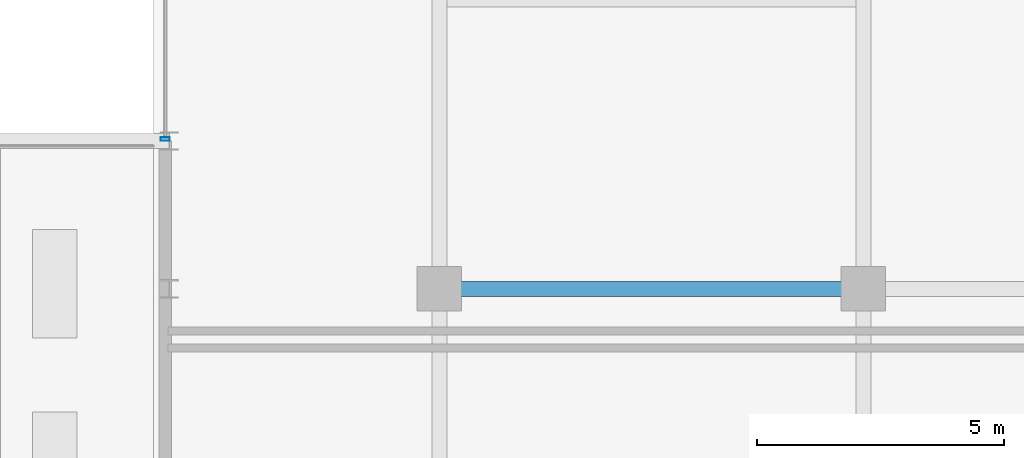
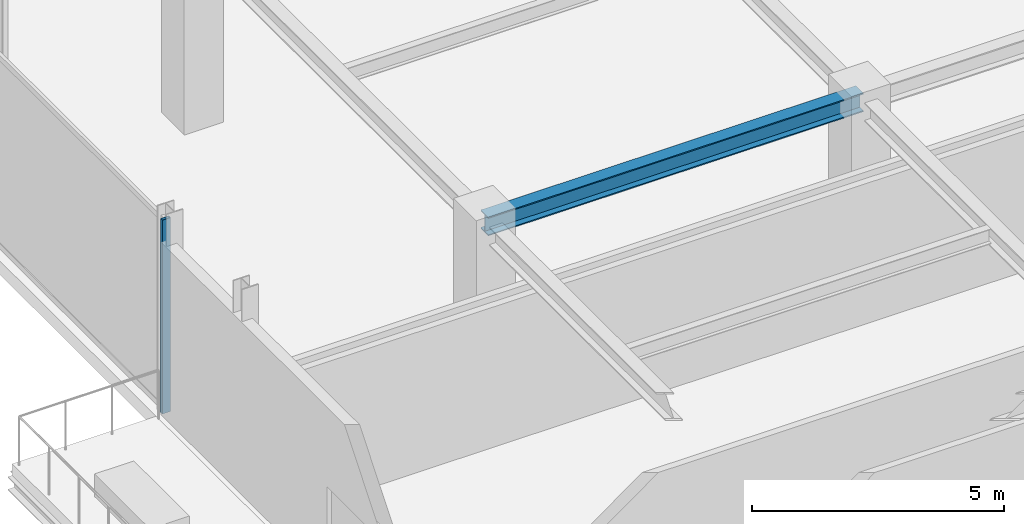
# One storey, part 9 of 28: 1 beam, 1 member, 1 element without a shape of its own.
"""IFC4 building model written with IfcOpenShell, lengths in metres."""

from ifc_helpers import new_model, si_unit, direction, frame, origin, origin_2d, place, context, subcontext, project, spatial, hollow_rectangle, i_section, extrude, source, transform, mapped, material, material_profile, profile_set, type_object, element, aggregate, save


model = new_model("IFC4")

# Units and contexts
model_context = context("Model", 3, precision=1e-05, world=origin(), true_north=direction((0.0, 1.0)))
body_context = subcontext(model_context, "Body", "Model", "MODEL_VIEW")
ifc_project = project(units=[si_unit("LENGTHUNIT", "METRE"), si_unit("AREAUNIT", "SQUARE_METRE"), si_unit("VOLUMEUNIT", "CUBIC_METRE"), si_unit("PLANEANGLEUNIT", "RADIAN"), si_unit("MASSUNIT", "GRAM", prefix="KILO")], contexts=[model_context])

# Site, building, storey
site_placement = place(None, origin())
site = spatial("IfcSite", under=ifc_project, at=site_placement, CompositionType="ELEMENT")
building_placement = place(site_placement, origin())
building = spatial("IfcBuilding", under=site, at=building_placement, Name="Nahalor Promenade Grand Hotel", CompositionType="ELEMENT")
storey_placement = place(building_placement, frame((0.0, 0.0, 352.050048828125)))
storey = spatial("IfcBuildingStorey", under=building, at=storey_placement, Name="L90", CompositionType="ELEMENT", Elevation=352.050048828125)

# Beam
ifc_material_1 = material(Name="Steel S355JR", Category="steel")
ifc_material_profile_1 = material_profile(ifc_material_1, i_section(OverallWidth=0.3, OverallDepth=0.45, WebThickness=0.014, FlangeThickness=0.026, at=origin_2d()), Name="HEB 450")
ifc_profile_set_1 = profile_set([ifc_material_profile_1], Name="Steel S355JR")
beam_type = type_object("IfcBeamType", Name="Beam-Girder-HEB450", PredefinedType="BEAM", material=ifc_profile_set_1)
shared_shape_1 = source(origin(), body_context, "Body", "SweptSolid", [
    extrude(i_section(OverallWidth=0.3, OverallDepth=0.45, WebThickness=0.014, FlangeThickness=0.026, at=origin_2d()), origin(), (0.0, 0.0, 1.0), 8.60009765625),
])
beam_placement = place(storey_placement, frame((-17.0, 5.39990234375, 4.474853515625), z_axis=(1.0, 0.0, 0.0), x_axis=(0.0, 1.0, 0.0)))
element("IfcBeam", 1, at=beam_placement, inside=storey, type_object=beam_type, Name="BM-L90-GX-2-0", PredefinedType="BEAM", context=body_context, shape_type="MappedRepresentation", body=[
    mapped(shared_shape_1, transform((0.0, 0.0, 0.0), scale=1.0)),
])

# Curtain wall, member
ifc_material_2 = material(Name="Anodised Bronze Aluminium EN AW-6063 T6", Category="aluminium")
curtain_wall_type = type_object("IfcCurtainWallType", Name="CW6 Crown Botanical Conservatory Curtain Wall", PredefinedType="USERDEFINED", material=ifc_material_2)
curtain_wall_placement = place(storey_placement, origin())
curtain_wall = element("IfcCurtainWall", 2, at=curtain_wall_placement, inside=storey, type_object=curtain_wall_type, Name="L90 Curtain Wall CW-L90-W-3", ObjectType="UNITISED_CURTAIN_WALL", PredefinedType="USERDEFINED")
ifc_material_profile_2 = material_profile(ifc_material_2, hollow_rectangle(XDim=0.075, YDim=0.19, WallThickness=0.005, at=origin_2d()), Name="CWM 75x190x5")
ifc_profile_set_2 = profile_set([ifc_material_profile_2], Name="Anodised Bronze Aluminium EN AW-6063 T6")
member_type = type_object("IfcMemberType", Name="CWM6 Conservatory Bronze Mullion 75x190", PredefinedType="MULLION", material=ifc_profile_set_2)
shared_shape_2 = source(origin(), body_context, "Body", "SweptSolid", [
    extrude(hollow_rectangle(XDim=0.075, YDim=0.19, WallThickness=0.005, at=origin_2d()), origin(), (0.0, 0.0, 1.0), 4.699951171875),
])
member_placement = place(storey_placement, frame((-22.56005859375, 8.4375, 0.0), z_axis=(0.0, 0.0, 1.0), x_axis=(0.0, 1.0, 0.0)))
member = element("IfcMember", 3, at=member_placement, type_object=member_type, Name="CW-L90-W-3 Mullion 0", PredefinedType="MULLION", context=body_context, shape_type="MappedRepresentation", body=[
    mapped(shared_shape_2, transform((0.0, 0.0, 0.0), scale=1.0)),
])
aggregate(curtain_wall, [member])

save(model, "model.ifc")
